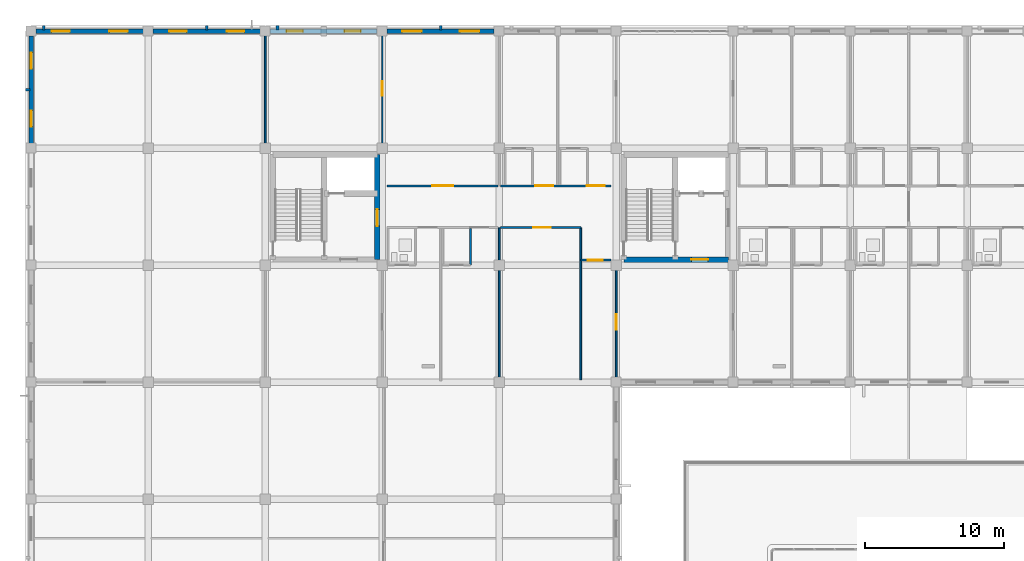
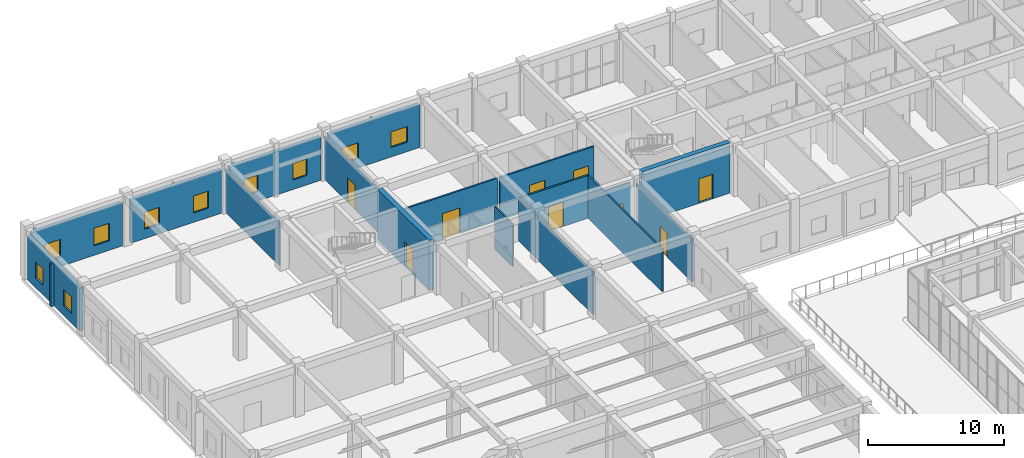
# One storey, part 127 of 158: 22 walls, 10 windows, 9 doors, 19 openings.
"""IFC4 building model written with IfcOpenShell, lengths in metres."""

from ifc_helpers import new_model, si_unit, direction, frame, frame_2d, origin, place, context, subcontext, project, spatial, rectangle, extrude, material, layer, layer_set, type_object, element, fill, save


model = new_model("IFC4")

# Units and contexts
model_context = context("Model", 3, precision=1e-05, world=origin(), true_north=direction((0.0, 1.0)))
body_context = subcontext(model_context, "Body", "Model", "MODEL_VIEW")
ifc_project = project(units=[si_unit("LENGTHUNIT", "METRE"), si_unit("AREAUNIT", "SQUARE_METRE"), si_unit("VOLUMEUNIT", "CUBIC_METRE"), si_unit("PLANEANGLEUNIT", "RADIAN"), si_unit("MASSUNIT", "GRAM", prefix="KILO")], contexts=[model_context])

# Site, building, storey
site_placement = place(None, origin())
site = spatial("IfcSite", under=ifc_project, at=site_placement, CompositionType="ELEMENT")
building_placement = place(site_placement, origin())
building = spatial("IfcBuilding", under=site, at=building_placement, Name="Trelvath General Hospital", CompositionType="ELEMENT")
storey_placement = place(building_placement, frame((0.0, 0.0, 8.10009765625)))
storey = spatial("IfcBuildingStorey", under=building, at=storey_placement, Name="L02", CompositionType="ELEMENT", Elevation=8.10009765625)

# Walls
ifc_material_1 = material(Name="Precast concrete C40/50", Category="concrete")
ifc_layer_1 = layer(ifc_material_1, 0.199951171875)
ifc_layer_set_1 = layer_set([ifc_layer_1], Name="Precast concrete C40/50")
wall_type_1 = type_object("IfcWallType", Name="BriseSoleilRib 200", PredefinedType="ELEMENTEDWALL", material=ifc_layer_set_1)
wall_1_placement = place(storey_placement, frame((0.893310546875, 117.675048828125, 0.0), z_axis=(0.0, 0.0, 1.0), x_axis=(0.0, 1.0, 0.0)))
element("IfcWall", 1, at=wall_1_placement, inside=storey, type_object=wall_type_1, Name="Precast Concrete Brise-Soleil Rib Fin L02-171", PredefinedType="ELEMENTEDWALL", context=body_context, shape_type="SweptSolid", body=[
    extrude(rectangle(XDim=0.33984375, YDim=0.199951171875, at=frame_2d((0.169921875, 0.0))), origin(), (0.0, 0.0, 1.0), 3.83984375),
])
wall_2_placement = place(storey_placement, frame((-0.074951171875, 113.39990234375, 0.0), z_axis=(0.0, 0.0, 1.0), x_axis=(-1.0, 0.0, 0.0)))
element("IfcWall", 2, at=wall_2_placement, inside=storey, type_object=wall_type_1, Name="Precast Concrete Brise-Soleil Rib Fin L02-172", PredefinedType="ELEMENTEDWALL", context=body_context, shape_type="SweptSolid", body=[
    extrude(rectangle(XDim=0.340087890625, YDim=0.199951171875, at=frame_2d((0.169921875, 0.0))), origin(), (0.0, 0.0, 1.0), 3.83984375),
])
for number, where, z_axis, x_axis, name in (
    (3, (12.60009765625, 117.675048828125, 0.0), (0.0, 0.0, 1.0), (0.0, 1.0, 0.0), "Precast Concrete Brise-Soleil Rib Fin L02-174"),
    (4, (17.693359375, 117.675048828125, 0.0), (0.0, 0.0, 1.0), (0.0, 1.0, 0.0), "Precast Concrete Brise-Soleil Rib Fin L02-176"),
    (5, (29.39990234375, 117.675048828125, 0.0), (0.0, 0.0, 1.0), (0.0, 1.0, 0.0), "Precast Concrete Brise-Soleil Rib Fin L02-178"),
):
    element("IfcWall", number, at=place(storey_placement, frame(where, z_axis=z_axis, x_axis=x_axis)), inside=storey, type_object=wall_type_1, Name=name, PredefinedType="ELEMENTEDWALL", context=body_context, shape_type="SweptSolid", body=[
        extrude(rectangle(XDim=0.33984375, YDim=0.199951171875, at=frame_2d((0.169921875, 0.0))), origin(), (0.0, 0.0, 1.0), 3.83984375),
    ])

# Wall, opening, door
ifc_material_2 = material(Name="Gypsum acoustic steel-stud partition", Category="steel")
ifc_layer_2 = layer(ifc_material_2, 0.14990234375)
ifc_layer_set_2 = layer_set([ifc_layer_2], Name="Gypsum acoustic steel-stud partition")
wall_type_2 = type_object("IfcWallType", Name="ClinicalPartition 150", PredefinedType="PARTITIONING", material=ifc_layer_set_2)
wall_3_placement = place(storey_placement, frame((33.52001953125, 106.5, 0.0), z_axis=(0.0, 0.0, 1.0), x_axis=(-1.0, 0.0, 0.0)))
wall_3 = element("IfcWall", 6, at=wall_3_placement, inside=storey, type_object=wall_type_2, Name="Corridor Partition N L02-867", PredefinedType="PARTITIONING", context=body_context, shape_type="SweptSolid", body=[
    extrude(rectangle(XDim=7.9599609375, YDim=0.14990234375, at=frame_2d((3.97998046875, 0.0))), origin(), (0.0, 0.0, 1.0), 3.83984375),
])
opening_1_placement = place(wall_3_placement, frame((3.22998046875, 0.0, 0.0)))
opening_1 = element("IfcOpeningElement", 7, at=opening_1_placement, cuts=wall_3, Name="Opening D-2-0719", PredefinedType="OPENING", context=body_context, shape_type="SweptSolid", body=[
    extrude(rectangle(XDim=1.5, YDim=2.300048828125, at=frame_2d((0.75, 1.14990234375))), frame((0.0, 0.0849609375, 0.0), z_axis=(0.0, -1.0, 0.0), x_axis=(1.0, 0.0, 0.0)), (0.0, 0.0, 1.0), 0.169921875),
])
ifc_material_3 = material(Name="Glazed aluminium ICU sliding door", Category="aluminium")
door_type_1 = type_object("IfcDoorType", Name="Door ICUSliding 1500x2300", OperationType="SLIDING_TO_LEFT", PredefinedType="DOOR", material=ifc_material_3)
door_1_placement = place(opening_1_placement, origin())
door_1 = element("IfcDoor", 8, at=door_1_placement, inside=storey, type_object=door_type_1, Name="Clinical Room Door L02-719", OperationType="SLIDING_TO_LEFT", OverallHeight=2.300048828125, OverallWidth=1.5, PredefinedType="DOOR", context=body_context, shape_type="SweptSolid", body=[
    extrude(rectangle(XDim=1.5, YDim=2.300048828125, at=frame_2d((0.75, 1.14990234375))), frame((0.0, 0.02490234375, 0.0), z_axis=(0.0, -1.0, 0.0), x_axis=(1.0, 0.0, 0.0)), (0.0, 0.0, 1.0), 0.050048828125),
])
fill(opening_1, door_1)

wall_4_placement = place(storey_placement, frame((33.679931640625, 103.5, 0.0), z_axis=(0.0, 0.0, 1.0), x_axis=(1.0, 0.0, 0.0)))
wall_4 = element("IfcWall", 9, at=wall_4_placement, inside=storey, type_object=wall_type_2, Name="Nurse Station Partition L02-870", PredefinedType="PARTITIONING", context=body_context, shape_type="SweptSolid", body=[
    extrude(rectangle(XDim=5.780029296875, YDim=0.14990234375, at=frame_2d((2.89013671875, 0.0))), origin(), (0.0, 0.0, 1.0), 3.83984375),
])
opening_2_placement = place(wall_4_placement, frame((2.3798828125, 0.0, 0.0)))
opening_2 = element("IfcOpeningElement", 10, at=opening_2_placement, cuts=wall_4, Name="Opening D-2-0720", PredefinedType="OPENING", context=body_context, shape_type="SweptSolid", body=[
    extrude(rectangle(XDim=1.25, YDim=2.199951171875, at=frame_2d((0.625, 1.10009765625))), frame((0.0, 0.0849609375, 0.0), z_axis=(0.0, -1.0, 0.0), x_axis=(1.0, 0.0, 0.0)), (0.0, 0.0, 1.0), 0.169921875),
])
ifc_material_4 = material(Name="Acoustic hospital timber leaf", Category="wood")
door_type_2 = type_object("IfcDoorType", Name="Door Treatment 1250x2200", OperationType="NOTDEFINED", PredefinedType="DOOR", material=ifc_material_4)
door_2_placement = place(opening_2_placement, origin())
door_2 = element("IfcDoor", 11, at=door_2_placement, inside=storey, type_object=door_type_2, Name="Nurse Station Door L02-720", OperationType="SINGLE_SWING_RIGHT", OverallHeight=2.199951171875, OverallWidth=1.25, PredefinedType="DOOR", context=body_context, shape_type="SweptSolid", body=[
    extrude(rectangle(XDim=1.25, YDim=2.199951171875, at=frame_2d((0.625, 1.10009765625))), frame((0.0, 0.02490234375, 0.0), z_axis=(0.0, -1.0, 0.0), x_axis=(1.0, 0.0, 0.0)), (0.0, 0.0, 1.0), 0.050048828125),
])
fill(opening_2, door_2)

wall_5_placement = place(storey_placement, frame((39.4599609375, 101.159912109375, 0.0), z_axis=(0.0, 0.0, 1.0), x_axis=(1.0, 0.0, 0.0)))
wall_5 = element("IfcWall", 12, at=wall_5_placement, inside=storey, type_object=wall_type_2, Name="Clean Utility Partition L02-872", PredefinedType="PARTITIONING", context=body_context, shape_type="SweptSolid", body=[
    extrude(rectangle(XDim=2.179931640625, YDim=0.14990234375, at=frame_2d((1.08984375, 0.0))), origin(), (0.0, 0.0, 1.0), 3.83984375),
])
opening_3_placement = place(wall_5_placement, frame((0.5, 0.0, 0.0)))
opening_3 = element("IfcOpeningElement", 13, at=opening_3_placement, cuts=wall_5, Name="Opening D-2-0721", PredefinedType="OPENING", context=body_context, shape_type="SweptSolid", body=[
    extrude(rectangle(XDim=1.080078125, YDim=2.14990234375, at=frame_2d((0.5400390625, 1.074951171875))), frame((0.0, 0.0849609375, 0.0), z_axis=(0.0, -1.0, 0.0), x_axis=(1.0, 0.0, 0.0)), (0.0, 0.0, 1.0), 0.169921875),
])
ifc_material_5 = material(Name="Acoustic hospital timber leaf", Category="wood")
door_type_3 = type_object("IfcDoorType", Name="Door CleanSupply 1080x2150", OperationType="NOTDEFINED", PredefinedType="DOOR", material=ifc_material_5)
door_3_placement = place(opening_3_placement, origin())
door_3 = element("IfcDoor", 14, at=door_3_placement, inside=storey, type_object=door_type_3, Name="Clean Utility Door L02-721", OperationType="SINGLE_SWING_LEFT", OverallHeight=2.14990234375, OverallWidth=1.080078125, PredefinedType="DOOR", context=body_context, shape_type="SweptSolid", body=[
    extrude(rectangle(XDim=1.080078125, YDim=2.14990234375, at=frame_2d((0.5400390625, 1.074951171875))), frame((0.0, 0.02490234375, 0.0), z_axis=(0.0, -1.0, 0.0), x_axis=(1.0, 0.0, 0.0)), (0.0, 0.0, 1.0), 0.050048828125),
])
fill(opening_3, door_3)

# Wall, openings, doors
wall_6_placement = place(storey_placement, frame((41.639892578125, 106.5, 0.0), z_axis=(0.0, 0.0, 1.0), x_axis=(-1.0, 0.0, 0.0)))
wall_6 = element("IfcWall", 15, at=wall_6_placement, inside=storey, type_object=wall_type_2, Name="Corridor Partition N L02-873", PredefinedType="PARTITIONING", context=body_context, shape_type="SweptSolid", body=[
    extrude(rectangle(XDim=7.9599609375, YDim=0.14990234375, at=frame_2d((3.97998046875, 0.0))), origin(), (0.0, 0.0, 1.0), 3.83984375),
])
opening_4_placement = place(wall_6_placement, frame((0.449951171875, 0.0, 0.0)))
opening_4 = element("IfcOpeningElement", 16, at=opening_4_placement, cuts=wall_6, Name="Opening D-2-0722", PredefinedType="OPENING", context=body_context, shape_type="SweptSolid", body=[
    extrude(rectangle(XDim=1.300048828125, YDim=2.25, at=frame_2d((0.64990234375, 1.125))), frame((0.0, 0.0849609375, 0.0), z_axis=(0.0, -1.0, 0.0), x_axis=(1.0, 0.0, 0.0)), (0.0, 0.0, 1.0), 0.169921875),
])
opening_5_placement = place(wall_6_placement, frame((4.14990234375, 0.0, 0.0)))
opening_5 = element("IfcOpeningElement", 17, at=opening_5_placement, cuts=wall_6, Name="Opening D-2-0723", PredefinedType="OPENING", context=body_context, shape_type="SweptSolid", body=[
    extrude(rectangle(XDim=1.300048828125, YDim=2.25, at=frame_2d((0.64990234375, 1.125))), frame((0.0, 0.0849609375, 0.0), z_axis=(0.0, -1.0, 0.0), x_axis=(1.0, 0.0, 0.0)), (0.0, 0.0, 1.0), 0.169921875),
])
ifc_material_6 = material(Name="Hospital bed-leaf timber door", Category="wood")
door_type_4 = type_object("IfcDoorType", Name="Door PatientBed 1300x2250", OperationType="NOTDEFINED", PredefinedType="DOOR", material=ifc_material_6)
door_4_placement = place(opening_4_placement, origin())
door_4 = element("IfcDoor", 18, at=door_4_placement, inside=storey, type_object=door_type_4, Name="Patient Room Door N L02-722", OperationType="SINGLE_SWING_RIGHT", OverallHeight=2.25, OverallWidth=1.300048828125, PredefinedType="DOOR", context=body_context, shape_type="SweptSolid", body=[
    extrude(rectangle(XDim=1.300048828125, YDim=2.25, at=frame_2d((0.64990234375, 1.125))), frame((0.0, 0.02490234375, 0.0), z_axis=(0.0, -1.0, 0.0), x_axis=(1.0, 0.0, 0.0)), (0.0, 0.0, 1.0), 0.050048828125),
])
fill(opening_4, door_4)
door_5_placement = place(opening_5_placement, origin())
door_5 = element("IfcDoor", 19, at=door_5_placement, inside=storey, type_object=door_type_4, Name="Patient Room Door N L02-723", OperationType="SINGLE_SWING_RIGHT", OverallHeight=2.25, OverallWidth=1.300048828125, PredefinedType="DOOR", context=body_context, shape_type="SweptSolid", body=[
    extrude(rectangle(XDim=1.300048828125, YDim=2.25, at=frame_2d((0.64990234375, 1.125))), frame((0.0, 0.02490234375, 0.0), z_axis=(0.0, -1.0, 0.0), x_axis=(1.0, 0.0, 0.0)), (0.0, 0.0, 1.0), 0.050048828125),
])
fill(opening_5, door_5)

# Wall, opening, door
ifc_material_7 = material(Name="Concrete C40/50", Category="concrete")
ifc_layer_3 = layer(ifc_material_7, 0.39990234375)
ifc_layer_set_3 = layer_set([ifc_layer_3], Name="Concrete C40/50")
wall_type_3 = type_object("IfcWallType", Name="CoreShearWall 400", PredefinedType="SHEAR", material=ifc_layer_set_3)
wall_7_placement = place(storey_placement, frame((42.550048828125, 101.199951171875, 0.0), z_axis=(0.0, 0.0, 1.0), x_axis=(1.0, 0.0, 0.0)))
wall_7 = element("IfcWall", 20, at=wall_7_placement, inside=storey, type_object=wall_type_3, Name="Core Shear Wall C1 S L02", PredefinedType="SHEAR", context=body_context, shape_type="SweptSolid", body=[
    extrude(rectangle(XDim=7.5, YDim=0.39990234375, at=frame_2d((3.75, 0.0))), origin(), (0.0, 0.0, 1.0), 4.52001953125),
])
opening_6_placement = place(wall_7_placement, frame((4.85009765625, 0.0, 0.0)))
opening_6 = element("IfcOpeningElement", 21, at=opening_6_placement, cuts=wall_7, Name="Opening FD-LS12", PredefinedType="OPENING", context=body_context, shape_type="SweptSolid", body=[
    extrude(rectangle(XDim=1.199951171875, YDim=2.199951171875, at=frame_2d((0.60009765625, 1.10009765625))), frame((0.0, 0.2099609375, 0.0), z_axis=(0.0, -1.0, 0.0), x_axis=(1.0, 0.0, 0.0)), (0.0, 0.0, 1.0), 0.419921875),
])
ifc_material_8 = material(Name="Fire-rated steel door", Category="steel")
door_type_5 = type_object("IfcDoorType", Name="Door FireLobby 1200x2200", OperationType="NOTDEFINED", PredefinedType="DOOR", material=ifc_material_8)
door_6_placement = place(opening_6_placement, origin())
door_6 = element("IfcDoor", 22, at=door_6_placement, inside=storey, type_object=door_type_5, Name="Fire Lobby South Door C1 L02", OperationType="SINGLE_SWING_RIGHT", OverallHeight=2.199951171875, OverallWidth=1.199951171875, PredefinedType="DOOR", context=body_context, shape_type="SweptSolid", body=[
    extrude(rectangle(XDim=1.199951171875, YDim=2.199951171875, at=frame_2d((0.60009765625, 1.10009765625))), frame((0.0, 0.02490234375, 0.0), z_axis=(0.0, -1.0, 0.0), x_axis=(1.0, 0.0, 0.0)), (0.0, 0.0, 1.0), 0.050048828125),
])
fill(opening_6, door_6)

wall_8_placement = place(storey_placement, frame((24.85009765625, 101.199951171875, 0.0), z_axis=(0.0, 0.0, 1.0), x_axis=(0.0, 1.0, 0.0)))
wall_8 = element("IfcWall", 23, at=wall_8_placement, inside=storey, type_object=wall_type_3, Name="Core Shear Wall C3 E L02", PredefinedType="SHEAR", context=body_context, shape_type="SweptSolid", body=[
    extrude(rectangle(XDim=7.550048828125, YDim=0.39990234375, at=frame_2d((3.77490234375, 0.0))), origin(), (0.0, 0.0, 1.0), 4.52001953125),
])
opening_7_placement = place(wall_8_placement, frame((2.39990234375, 0.0, 0.0)))
opening_7 = element("IfcOpeningElement", 24, at=opening_7_placement, cuts=wall_8, Name="Opening FD-LE32", PredefinedType="OPENING", context=body_context, shape_type="SweptSolid", body=[
    extrude(rectangle(XDim=1.199951171875, YDim=2.199951171875, at=frame_2d((0.60009765625, 1.10009765625))), frame((0.0, 0.2099609375, 0.0), z_axis=(0.0, -1.0, 0.0), x_axis=(1.0, 0.0, 0.0)), (0.0, 0.0, 1.0), 0.419921875),
])
door_7_placement = place(opening_7_placement, origin())
door_7 = element("IfcDoor", 25, at=door_7_placement, inside=storey, type_object=door_type_5, Name="Fire Lobby East Corridor Door C3 L02", OperationType="SINGLE_SWING_RIGHT", OverallHeight=2.199951171875, OverallWidth=1.199951171875, PredefinedType="DOOR", context=body_context, shape_type="SweptSolid", body=[
    extrude(rectangle(XDim=1.199951171875, YDim=2.199951171875, at=frame_2d((0.60009765625, 1.10009765625))), frame((0.0, 0.02490234375, 0.0), z_axis=(0.0, -1.0, 0.0), x_axis=(1.0, 0.0, 0.0)), (0.0, 0.0, 1.0), 0.050048828125),
])
fill(opening_7, door_7)

# Wall
ifc_material_9 = material(Name="Moisture-resistant tile partition")
ifc_layer_4 = layer(ifc_material_9, 0.110107421875)
ifc_layer_set_4 = layer_set([ifc_layer_4], Name="Moisture-resistant tile partition")
wall_type_4 = type_object("IfcWallType", Name="EnSuiteWetWall 110", PredefinedType="PARTITIONING", material=ifc_layer_set_4)
wall_9_placement = place(storey_placement, frame((31.5400390625, 100.820068359375, 0.0), z_axis=(0.0, 0.0, 1.0), x_axis=(0.0, 1.0, 0.0)))
element("IfcWall", 26, at=wall_9_placement, inside=storey, type_object=wall_type_4, Name="En-Suite E Wall L02-864", PredefinedType="PARTITIONING", context=body_context, shape_type="SweptSolid", body=[
    extrude(rectangle(XDim=2.60986328125, YDim=0.110107421875, at=frame_2d((1.304931640625, 0.0))), origin(), (0.0, 0.0, 1.0), 3.83984375),
])

# Wall, openings, windows
ifc_material_10 = material(Name="Concrete C35/45", Category="concrete")
ifc_layer_5 = layer(ifc_material_10, 0.320068359375)
ifc_layer_set_5 = layer_set([ifc_layer_5], Name="Concrete C35/45")
wall_type_5 = type_object("IfcWallType", Name="ExtThermalWall 320", PredefinedType="SOLIDWALL", material=ifc_layer_set_5)
wall_10_placement = place(storey_placement, frame((0.35498046875, 117.60009765625, 0.0), z_axis=(0.0, 0.0, 1.0), x_axis=(1.0, 0.0, 0.0)))
wall_10 = element("IfcWall", 27, at=wall_10_placement, inside=storey, type_object=wall_type_5, Name="Exterior Concrete Wall L02-234", PredefinedType="SOLIDWALL", context=body_context, shape_type="SweptSolid", body=[
    extrude(rectangle(XDim=7.68994140625, YDim=0.320068359375, at=frame_2d((3.844970703125, 0.0))), origin(), (0.0, 0.0, 1.0), 3.85986328125),
])
opening_8_placement = place(wall_10_placement, frame((1.108642578125, 0.0, 0.85009765625)))
opening_8 = element("IfcOpeningElement", 28, at=opening_8_placement, cuts=wall_10, Name="Opening WN-2-365", PredefinedType="OPENING", context=body_context, shape_type="SweptSolid", body=[
    extrude(rectangle(XDim=1.320068359375, YDim=1.580078125, at=frame_2d((0.66015625, 0.7900390625))), frame((0.0, 0.169921875, 0.0), z_axis=(0.0, -1.0, 0.0), x_axis=(1.0, 0.0, 0.0)), (0.0, 0.0, 1.0), 0.340087890625),
])
opening_9_placement = place(wall_10_placement, frame((5.26123046875, 0.0, 0.85009765625)))
opening_9 = element("IfcOpeningElement", 29, at=opening_9_placement, cuts=wall_10, Name="Opening WN-2-366", PredefinedType="OPENING", context=body_context, shape_type="SweptSolid", body=[
    extrude(rectangle(XDim=1.320068359375, YDim=1.580078125, at=frame_2d((0.66015625, 0.7900390625))), frame((0.0, 0.169921875, 0.0), z_axis=(0.0, -1.0, 0.0), x_axis=(1.0, 0.0, 0.0)), (0.0, 0.0, 1.0), 0.340087890625),
])
ifc_material_11 = material(Name="Low-E laminated glass", Category="glass")
window_type_1 = type_object("IfcWindowType", Name="Window Pediatrics 1320x1580", PartitioningType="DOUBLE_PANEL_VERTICAL", PredefinedType="WINDOW", material=ifc_material_11)
window_1_placement = place(opening_8_placement, origin())
window_1 = element("IfcWindow", 30, at=window_1_placement, inside=storey, type_object=window_type_1, Name="Solar Reveal Window L02-365", OverallHeight=1.580078125, OverallWidth=1.320068359375, PartitioningType="SINGLE_PANEL", PredefinedType="WINDOW", context=body_context, shape_type="SweptSolid", body=[
    extrude(rectangle(XDim=1.320068359375, YDim=1.580078125, at=frame_2d((0.66015625, 0.7900390625))), frame((0.0, 0.030029296875, 0.0), z_axis=(0.0, -1.0, 0.0), x_axis=(1.0, 0.0, 0.0)), (0.0, 0.0, 1.0), 0.06005859375),
])
fill(opening_8, window_1)
window_2_placement = place(opening_9_placement, origin())
window_2 = element("IfcWindow", 31, at=window_2_placement, inside=storey, type_object=window_type_1, Name="Solar Reveal Window L02-366", OverallHeight=1.580078125, OverallWidth=1.320068359375, PartitioningType="SINGLE_PANEL", PredefinedType="WINDOW", context=body_context, shape_type="SweptSolid", body=[
    extrude(rectangle(XDim=1.320068359375, YDim=1.580078125, at=frame_2d((0.66015625, 0.7900390625))), frame((0.0, 0.030029296875, 0.0), z_axis=(0.0, -1.0, 0.0), x_axis=(1.0, 0.0, 0.0)), (0.0, 0.0, 1.0), 0.06005859375),
])
fill(opening_9, window_2)

wall_11_placement = place(storey_placement, frame((0.0, 109.554931640625, 0.0), z_axis=(0.0, 0.0, 1.0), x_axis=(0.0, 1.0, 0.0)))
wall_11 = element("IfcWall", 32, at=wall_11_placement, inside=storey, type_object=wall_type_5, Name="Exterior Concrete Wall L02-235", PredefinedType="SOLIDWALL", context=body_context, shape_type="SweptSolid", body=[
    extrude(rectangle(XDim=7.690185546875, YDim=0.320068359375, at=frame_2d((3.84521484375, 0.0))), origin(), (0.0, 0.0, 1.0), 3.85986328125),
])
opening_10_placement = place(wall_11_placement, frame((1.188720703125, 0.0, 0.85009765625)))
opening_10 = element("IfcOpeningElement", 33, at=opening_10_placement, cuts=wall_11, Name="Opening WN-2-367", PredefinedType="OPENING", context=body_context, shape_type="SweptSolid", body=[
    extrude(rectangle(XDim=1.159912109375, YDim=1.47998046875, at=frame_2d((0.580078125, 0.739990234375))), frame((0.0, 0.169921875, 0.0), z_axis=(0.0, -1.0, 0.0), x_axis=(1.0, 0.0, 0.0)), (0.0, 0.0, 1.0), 0.340087890625),
])
opening_11_placement = place(wall_11_placement, frame((5.34130859375, 0.0, 0.85009765625)))
opening_11 = element("IfcOpeningElement", 34, at=opening_11_placement, cuts=wall_11, Name="Opening WN-2-368", PredefinedType="OPENING", context=body_context, shape_type="SweptSolid", body=[
    extrude(rectangle(XDim=1.159912109375, YDim=1.47998046875, at=frame_2d((0.580078125, 0.739990234375))), frame((0.0, 0.169921875, 0.0), z_axis=(0.0, -1.0, 0.0), x_axis=(1.0, 0.0, 0.0)), (0.0, 0.0, 1.0), 0.340087890625),
])
ifc_material_12 = material(Name="Low-E laminated glass", Category="glass")
window_type_2 = type_object("IfcWindowType", Name="Window Cardiology 1160x1480", PartitioningType="SINGLE_PANEL", PredefinedType="WINDOW", material=ifc_material_12)
window_3_placement = place(opening_10_placement, origin())
window_3 = element("IfcWindow", 35, at=window_3_placement, inside=storey, type_object=window_type_2, Name="Solar Reveal Window L02-367", OverallHeight=1.47998046875, OverallWidth=1.159912109375, PartitioningType="SINGLE_PANEL", PredefinedType="WINDOW", context=body_context, shape_type="SweptSolid", body=[
    extrude(rectangle(XDim=1.159912109375, YDim=1.47998046875, at=frame_2d((0.580078125, 0.739990234375))), frame((0.0, 0.030029296875, 0.0), z_axis=(0.0, -1.0, 0.0), x_axis=(1.0, 0.0, 0.0)), (0.0, 0.0, 1.0), 0.06005859375),
])
fill(opening_10, window_3)
window_4_placement = place(opening_11_placement, origin())
window_4 = element("IfcWindow", 36, at=window_4_placement, inside=storey, type_object=window_type_2, Name="Solar Reveal Window L02-368", OverallHeight=1.47998046875, OverallWidth=1.159912109375, PartitioningType="SINGLE_PANEL", PredefinedType="WINDOW", context=body_context, shape_type="SweptSolid", body=[
    extrude(rectangle(XDim=1.159912109375, YDim=1.47998046875, at=frame_2d((0.580078125, 0.739990234375))), frame((0.0, 0.030029296875, 0.0), z_axis=(0.0, -1.0, 0.0), x_axis=(1.0, 0.0, 0.0)), (0.0, 0.0, 1.0), 0.06005859375),
])
fill(opening_11, window_4)

wall_12_placement = place(storey_placement, frame((8.7548828125, 117.60009765625, 0.0), z_axis=(0.0, 0.0, 1.0), x_axis=(1.0, 0.0, 0.0)))
wall_12 = element("IfcWall", 37, at=wall_12_placement, inside=storey, type_object=wall_type_5, Name="Exterior Concrete Wall L02-237", PredefinedType="SOLIDWALL", context=body_context, shape_type="SweptSolid", body=[
    extrude(rectangle(XDim=7.690185546875, YDim=0.320068359375, at=frame_2d((3.84521484375, 0.0))), origin(), (0.0, 0.0, 1.0), 3.85986328125),
])
opening_12_placement = place(wall_12_placement, frame((1.138671875, 0.0, 0.85009765625)))
opening_12 = element("IfcOpeningElement", 38, at=opening_12_placement, cuts=wall_12, Name="Opening WN-2-371", PredefinedType="OPENING", context=body_context, shape_type="SweptSolid", body=[
    extrude(rectangle(XDim=1.260009765625, YDim=1.52001953125, at=frame_2d((0.6298828125, 0.760009765625))), frame((0.0, 0.169921875, 0.0), z_axis=(0.0, -1.0, 0.0), x_axis=(1.0, 0.0, 0.0)), (0.0, 0.0, 1.0), 0.340087890625),
])
opening_13_placement = place(wall_12_placement, frame((5.291259765625, 0.0, 0.85009765625)))
opening_13 = element("IfcOpeningElement", 39, at=opening_13_placement, cuts=wall_12, Name="Opening WN-2-372", PredefinedType="OPENING", context=body_context, shape_type="SweptSolid", body=[
    extrude(rectangle(XDim=1.260009765625, YDim=1.52001953125, at=frame_2d((0.6298828125, 0.760009765625))), frame((0.0, 0.169921875, 0.0), z_axis=(0.0, -1.0, 0.0), x_axis=(1.0, 0.0, 0.0)), (0.0, 0.0, 1.0), 0.340087890625),
])
ifc_material_13 = material(Name="Low-E laminated glass", Category="glass")
window_type_3 = type_object("IfcWindowType", Name="Window Oncology 1260x1520", PartitioningType="SINGLE_PANEL", PredefinedType="WINDOW", material=ifc_material_13)
window_5_placement = place(opening_12_placement, origin())
window_5 = element("IfcWindow", 40, at=window_5_placement, inside=storey, type_object=window_type_3, Name="Solar Reveal Window L02-371", OverallHeight=1.52001953125, OverallWidth=1.260009765625, PartitioningType="SINGLE_PANEL", PredefinedType="WINDOW", context=body_context, shape_type="SweptSolid", body=[
    extrude(rectangle(XDim=1.260009765625, YDim=1.52001953125, at=frame_2d((0.6298828125, 0.760009765625))), frame((0.0, 0.030029296875, 0.0), z_axis=(0.0, -1.0, 0.0), x_axis=(1.0, 0.0, 0.0)), (0.0, 0.0, 1.0), 0.06005859375),
])
fill(opening_12, window_5)
window_6_placement = place(opening_13_placement, origin())
window_6 = element("IfcWindow", 41, at=window_6_placement, inside=storey, type_object=window_type_3, Name="Solar Reveal Window L02-372", OverallHeight=1.52001953125, OverallWidth=1.260009765625, PartitioningType="SINGLE_PANEL", PredefinedType="WINDOW", context=body_context, shape_type="SweptSolid", body=[
    extrude(rectangle(XDim=1.260009765625, YDim=1.52001953125, at=frame_2d((0.6298828125, 0.760009765625))), frame((0.0, 0.030029296875, 0.0), z_axis=(0.0, -1.0, 0.0), x_axis=(1.0, 0.0, 0.0)), (0.0, 0.0, 1.0), 0.06005859375),
])
fill(opening_13, window_6)

wall_13_placement = place(storey_placement, frame((17.155029296875, 117.60009765625, 0.0), z_axis=(0.0, 0.0, 1.0), x_axis=(1.0, 0.0, 0.0)))
wall_13 = element("IfcWall", 42, at=wall_13_placement, inside=storey, type_object=wall_type_5, Name="Exterior Concrete Wall L02-239", PredefinedType="SOLIDWALL", context=body_context, shape_type="SweptSolid", body=[
    extrude(rectangle(XDim=7.68994140625, YDim=0.320068359375, at=frame_2d((3.844970703125, 0.0))), origin(), (0.0, 0.0, 1.0), 3.85986328125),
])
opening_14_placement = place(wall_13_placement, frame((1.188720703125, 0.0, 0.85009765625)))
opening_14 = element("IfcOpeningElement", 43, at=opening_14_placement, cuts=wall_13, Name="Opening WN-2-375", PredefinedType="OPENING", context=body_context, shape_type="SweptSolid", body=[
    extrude(rectangle(XDim=1.159912109375, YDim=1.47998046875, at=frame_2d((0.580078125, 0.739990234375))), frame((0.0, 0.169921875, 0.0), z_axis=(0.0, -1.0, 0.0), x_axis=(1.0, 0.0, 0.0)), (0.0, 0.0, 1.0), 0.340087890625),
])
opening_15_placement = place(wall_13_placement, frame((5.34130859375, 0.0, 0.85009765625)))
opening_15 = element("IfcOpeningElement", 44, at=opening_15_placement, cuts=wall_13, Name="Opening WN-2-376", PredefinedType="OPENING", context=body_context, shape_type="SweptSolid", body=[
    extrude(rectangle(XDim=1.159912109375, YDim=1.47998046875, at=frame_2d((0.580078125, 0.739990234375))), frame((0.0, 0.169921875, 0.0), z_axis=(0.0, -1.0, 0.0), x_axis=(1.0, 0.0, 0.0)), (0.0, 0.0, 1.0), 0.340087890625),
])
window_7_placement = place(opening_14_placement, origin())
window_7 = element("IfcWindow", 45, at=window_7_placement, inside=storey, type_object=window_type_2, Name="Solar Reveal Window L02-375", OverallHeight=1.47998046875, OverallWidth=1.159912109375, PartitioningType="SINGLE_PANEL", PredefinedType="WINDOW", context=body_context, shape_type="SweptSolid", body=[
    extrude(rectangle(XDim=1.159912109375, YDim=1.47998046875, at=frame_2d((0.580078125, 0.739990234375))), frame((0.0, 0.030029296875, 0.0), z_axis=(0.0, -1.0, 0.0), x_axis=(1.0, 0.0, 0.0)), (0.0, 0.0, 1.0), 0.06005859375),
])
fill(opening_14, window_7)
window_8_placement = place(opening_15_placement, origin())
window_8 = element("IfcWindow", 46, at=window_8_placement, inside=storey, type_object=window_type_2, Name="Solar Reveal Window L02-376", OverallHeight=1.47998046875, OverallWidth=1.159912109375, PartitioningType="SINGLE_PANEL", PredefinedType="WINDOW", context=body_context, shape_type="SweptSolid", body=[
    extrude(rectangle(XDim=1.159912109375, YDim=1.47998046875, at=frame_2d((0.580078125, 0.739990234375))), frame((0.0, 0.030029296875, 0.0), z_axis=(0.0, -1.0, 0.0), x_axis=(1.0, 0.0, 0.0)), (0.0, 0.0, 1.0), 0.06005859375),
])
fill(opening_15, window_8)

wall_14_placement = place(storey_placement, frame((25.554931640625, 117.60009765625, 0.0), z_axis=(0.0, 0.0, 1.0), x_axis=(1.0, 0.0, 0.0)))
wall_14 = element("IfcWall", 47, at=wall_14_placement, inside=storey, type_object=wall_type_5, Name="Exterior Concrete Wall L02-241", PredefinedType="SOLIDWALL", context=body_context, shape_type="SweptSolid", body=[
    extrude(rectangle(XDim=7.690185546875, YDim=0.320068359375, at=frame_2d((3.84521484375, 0.0))), origin(), (0.0, 0.0, 1.0), 3.85986328125),
])
opening_16_placement = place(wall_14_placement, frame((1.068603515625, 0.0, 0.85009765625)))
opening_16 = element("IfcOpeningElement", 48, at=opening_16_placement, cuts=wall_14, Name="Opening WN-2-379", PredefinedType="OPENING", context=body_context, shape_type="SweptSolid", body=[
    extrude(rectangle(XDim=1.39990234375, YDim=1.39990234375, at=frame_2d((0.699951171875, 0.699951171875))), frame((0.0, 0.169921875, 0.0), z_axis=(0.0, -1.0, 0.0), x_axis=(1.0, 0.0, 0.0)), (0.0, 0.0, 1.0), 0.340087890625),
])
opening_17_placement = place(wall_14_placement, frame((5.22119140625, 0.0, 0.85009765625)))
opening_17 = element("IfcOpeningElement", 49, at=opening_17_placement, cuts=wall_14, Name="Opening WN-2-380", PredefinedType="OPENING", context=body_context, shape_type="SweptSolid", body=[
    extrude(rectangle(XDim=1.39990234375, YDim=1.39990234375, at=frame_2d((0.699951171875, 0.699951171875))), frame((0.0, 0.169921875, 0.0), z_axis=(0.0, -1.0, 0.0), x_axis=(1.0, 0.0, 0.0)), (0.0, 0.0, 1.0), 0.340087890625),
])
ifc_material_14 = material(Name="Low-E laminated glass", Category="glass")
window_type_4 = type_object("IfcWindowType", Name="Window Surgical 1400x1400", PartitioningType="DOUBLE_PANEL_VERTICAL", PredefinedType="WINDOW", material=ifc_material_14)
window_9_placement = place(opening_16_placement, origin())
window_9 = element("IfcWindow", 50, at=window_9_placement, inside=storey, type_object=window_type_4, Name="Solar Reveal Window L02-379", OverallHeight=1.39990234375, OverallWidth=1.39990234375, PartitioningType="SINGLE_PANEL", PredefinedType="WINDOW", context=body_context, shape_type="SweptSolid", body=[
    extrude(rectangle(XDim=1.39990234375, YDim=1.39990234375, at=frame_2d((0.699951171875, 0.699951171875))), frame((0.0, 0.030029296875, 0.0), z_axis=(0.0, -1.0, 0.0), x_axis=(1.0, 0.0, 0.0)), (0.0, 0.0, 1.0), 0.06005859375),
])
fill(opening_16, window_9)
window_10_placement = place(opening_17_placement, origin())
window_10 = element("IfcWindow", 51, at=window_10_placement, inside=storey, type_object=window_type_4, Name="Solar Reveal Window L02-380", OverallHeight=1.39990234375, OverallWidth=1.39990234375, PartitioningType="SINGLE_PANEL", PredefinedType="WINDOW", context=body_context, shape_type="SweptSolid", body=[
    extrude(rectangle(XDim=1.39990234375, YDim=1.39990234375, at=frame_2d((0.699951171875, 0.699951171875))), frame((0.0, 0.030029296875, 0.0), z_axis=(0.0, -1.0, 0.0), x_axis=(1.0, 0.0, 0.0)), (0.0, 0.0, 1.0), 0.06005859375),
])
fill(opening_17, window_10)

# Wall
ifc_material_15 = material(Name="Gypsum acoustic steel-stud partition", Category="steel")
ifc_layer_6 = layer(ifc_material_15, 0.1298828125)
ifc_layer_set_6 = layer_set([ifc_layer_6], Name="Gypsum acoustic steel-stud partition")
wall_type_6 = type_object("IfcWallType", Name="WardPartition 130", PredefinedType="PARTITIONING", material=ifc_layer_set_6)
wall_15_placement = place(storey_placement, frame((16.800048828125, 109.550048828125, 0.0), z_axis=(0.0, 0.0, 1.0), x_axis=(0.0, 1.0, 0.0)))
element("IfcWall", 52, at=wall_15_placement, inside=storey, type_object=wall_type_6, Name="Inter-Bay Ward Partition N L02-855", PredefinedType="PARTITIONING", context=body_context, shape_type="SweptSolid", body=[
    extrude(rectangle(XDim=7.909912109375, YDim=0.1298828125, at=frame_2d((3.955078125, 0.0))), origin(), (0.0, 0.0, 1.0), 3.83984375),
])

# Wall, opening, door
wall_16_placement = place(storey_placement, frame((25.199951171875, 109.550048828125, 0.0), z_axis=(0.0, 0.0, 1.0), x_axis=(0.0, 1.0, 0.0)))
wall_16 = element("IfcWall", 53, at=wall_16_placement, inside=storey, type_object=wall_type_6, Name="Inter-Bay Ward Partition N L02-857", PredefinedType="PARTITIONING", context=body_context, shape_type="SweptSolid", body=[
    extrude(rectangle(XDim=7.909912109375, YDim=0.1298828125, at=frame_2d((3.955078125, 0.0))), origin(), (0.0, 0.0, 1.0), 3.83984375),
])
opening_18_placement = place(wall_16_placement, frame((3.39990234375, 0.0, 0.0)))
opening_18 = element("IfcOpeningElement", 54, at=opening_18_placement, cuts=wall_16, Name="Opening D-2-0714", PredefinedType="OPENING", context=body_context, shape_type="SweptSolid", body=[
    extrude(rectangle(XDim=1.050048828125, YDim=2.199951171875, at=frame_2d((0.52490234375, 1.10009765625))), frame((0.0, 0.074951171875, 0.0), z_axis=(0.0, -1.0, 0.0), x_axis=(1.0, 0.0, 0.0)), (0.0, 0.0, 1.0), 0.14990234375),
])
ifc_material_16 = material(Name="Acoustic hospital timber leaf", Category="wood")
door_type_6 = type_object("IfcDoorType", Name="Door Consult 1050x2200", OperationType="NOTDEFINED", PredefinedType="DOOR", material=ifc_material_16)
door_8_placement = place(opening_18_placement, origin())
door_8 = element("IfcDoor", 55, at=door_8_placement, inside=storey, type_object=door_type_6, Name="Consultation Connecting Door L02-714", OperationType="SINGLE_SWING_LEFT", OverallHeight=2.199951171875, OverallWidth=1.050048828125, PredefinedType="DOOR", context=body_context, shape_type="SweptSolid", body=[
    extrude(rectangle(XDim=1.050048828125, YDim=2.199951171875, at=frame_2d((0.52490234375, 1.10009765625))), frame((0.0, 0.02490234375, 0.0), z_axis=(0.0, -1.0, 0.0), x_axis=(1.0, 0.0, 0.0)), (0.0, 0.0, 1.0), 0.050048828125),
])
fill(opening_18, door_8)

# Walls
for number, where, z_axis, x_axis, name in (
    (56, (33.60009765625, 92.5400390625, 0.0), (0.0, 0.0, 1.0), (0.0, 1.0, 0.0), "Inter-Bay Ward Partition S L02-868"),
    (57, (39.4599609375, 92.56005859375, 0.0), (0.0, 0.0, 1.0), (0.0, 1.0, 0.0), "Nurse Alcove Partition L02-871"),
):
    element("IfcWall", number, at=place(storey_placement, frame(where, z_axis=z_axis, x_axis=x_axis)), inside=storey, type_object=wall_type_6, Name=name, PredefinedType="PARTITIONING", context=body_context, shape_type="SweptSolid", body=[
        extrude(rectangle(XDim=10.93994140625, YDim=0.1298828125, at=frame_2d((5.469970703125, 0.0))), origin(), (0.0, 0.0, 1.0), 3.83984375),
    ])

# Wall, opening, door
wall_17_placement = place(storey_placement, frame((42.0, 92.5400390625, 0.0), z_axis=(0.0, 0.0, 1.0), x_axis=(0.0, 1.0, 0.0)))
wall_17 = element("IfcWall", 58, at=wall_17_placement, inside=storey, type_object=wall_type_6, Name="Inter-Bay Ward Partition S L02-881", PredefinedType="PARTITIONING", context=body_context, shape_type="SweptSolid", body=[
    extrude(rectangle(XDim=8.2099609375, YDim=0.1298828125, at=frame_2d((4.10498046875, 0.0))), origin(), (0.0, 0.0, 1.0), 3.83984375),
])
opening_19_placement = place(wall_17_placement, frame((3.639892578125, 0.0, 0.0)))
opening_19 = element("IfcOpeningElement", 59, at=opening_19_placement, cuts=wall_17, Name="Opening D-2-0726", PredefinedType="OPENING", context=body_context, shape_type="SweptSolid", body=[
    extrude(rectangle(XDim=1.080078125, YDim=2.14990234375, at=frame_2d((0.5400390625, 1.074951171875))), frame((0.0, 0.074951171875, 0.0), z_axis=(0.0, -1.0, 0.0), x_axis=(1.0, 0.0, 0.0)), (0.0, 0.0, 1.0), 0.14990234375),
])
door_9_placement = place(opening_19_placement, origin())
door_9 = element("IfcDoor", 60, at=door_9_placement, inside=storey, type_object=door_type_3, Name="Clean Supply Connecting Door L02-726", OperationType="SINGLE_SWING_LEFT", OverallHeight=2.14990234375, OverallWidth=1.080078125, PredefinedType="DOOR", context=body_context, shape_type="SweptSolid", body=[
    extrude(rectangle(XDim=1.080078125, YDim=2.14990234375, at=frame_2d((0.5400390625, 1.074951171875))), frame((0.0, 0.02490234375, 0.0), z_axis=(0.0, -1.0, 0.0), x_axis=(1.0, 0.0, 0.0)), (0.0, 0.0, 1.0), 0.050048828125),
])
fill(opening_19, door_9)

save(model, "model.ifc")
